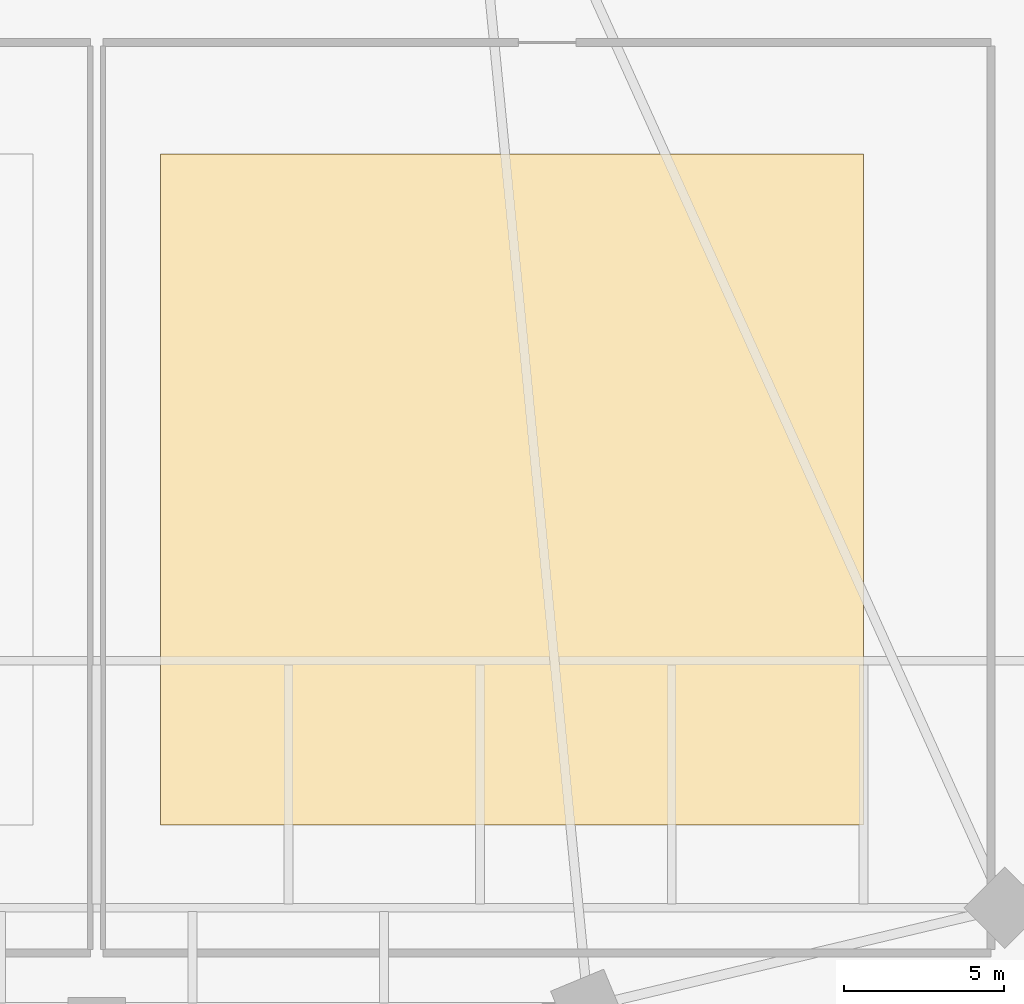
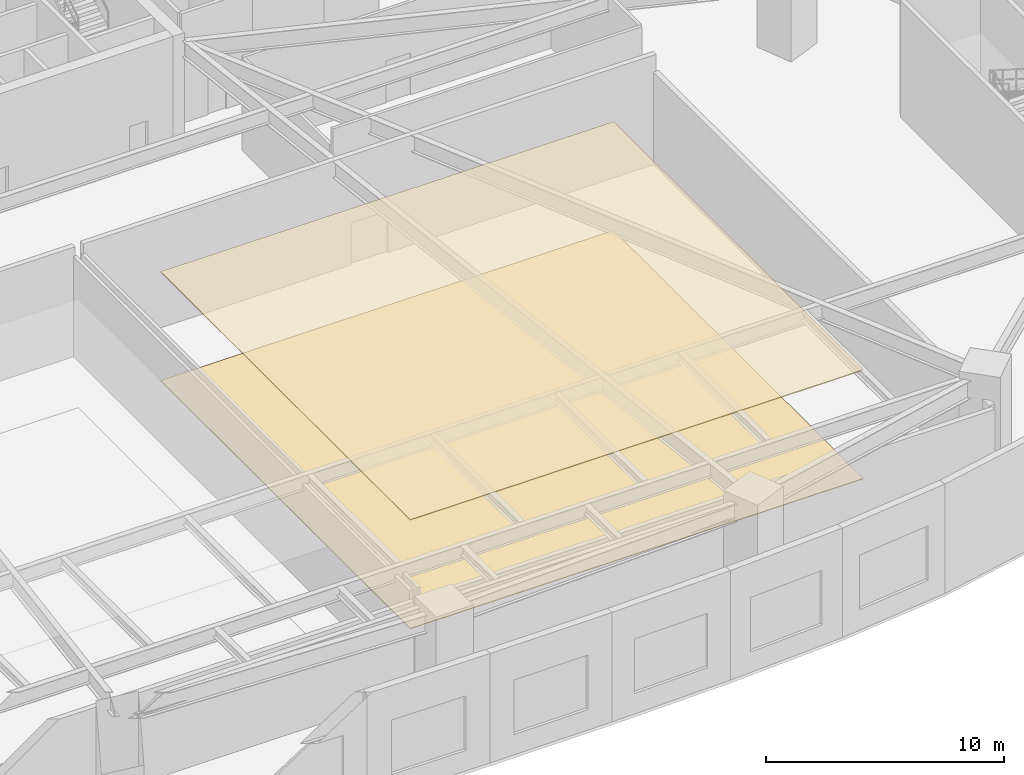
# One storey, part 8 of 10: 2 coverings.
"""IFC4 building model written with IfcOpenShell, lengths in metres."""

from ifc_helpers import new_model, si_unit, direction, frame, origin, place, context, subcontext, project, spatial, polyline, outline, extrude, material, layer, layer_set, type_object, element, save


model = new_model("IFC4")

# Units and contexts
model_context = context("Model", 3, precision=1e-05, world=origin(), true_north=direction((0.0, 1.0)))
body_context = subcontext(model_context, "Body", "Model", "MODEL_VIEW")
ifc_project = project(units=[si_unit("LENGTHUNIT", "METRE"), si_unit("AREAUNIT", "SQUARE_METRE"), si_unit("VOLUMEUNIT", "CUBIC_METRE"), si_unit("PLANEANGLEUNIT", "RADIAN"), si_unit("MASSUNIT", "GRAM", prefix="KILO")], contexts=[model_context])

# Site, building, storey
site_placement = place(None, origin())
site = spatial("IfcSite", under=ifc_project, at=site_placement, CompositionType="ELEMENT")
building_placement = place(site_placement, origin())
building = spatial("IfcBuilding", under=site, at=building_placement, Name="Breltana Convention Tower", CompositionType="ELEMENT")
storey_placement = place(building_placement, frame((0.0, 0.0, 18.0)))
storey = spatial("IfcBuildingStorey", under=building, at=storey_placement, Name="L03", CompositionType="ELEMENT", Elevation=18.0)

# Coverings
ifc_material_1 = material(Name="Gypsum Micro-Perforated Acoustic Ceiling")
ifc_layer_1 = layer(ifc_material_1, 0.044921875, Name="Gypsum Micro-Perforated Acoustic Ceiling")
ifc_layer_set_1 = layer_set([ifc_layer_1], Name="Gypsum Micro-Perforated Acoustic Ceiling")
covering_type_1 = type_object("IfcCoveringType", Name="COV-CEIL-ACOUSTIC-45", PredefinedType="CEILING", material=ifc_layer_set_1)
covering_1_placement = place(storey_placement, frame((0.0, 0.0, 5.574951171875)))
element("IfcCovering", 1, at=covering_1_placement, inside=storey, type_object=covering_type_1, Name="L03 hall acoustic ceiling 7", PredefinedType="CEILING", context=body_context, shape_type="SweptSolid", body=[
    extrude(outline(polyline([(50.0, 25.0), (72.0, 25.0), (72.0, 46.0), (50.0, 46.0), (50.0, 25.0)])), origin(), (0.0, 0.0, 1.0), 0.045166015625),
])
ifc_material_2 = material(Name="Warm Buff Limestone Terrazzo Flooring", Category="masonry")
ifc_layer_2 = layer(ifc_material_2, 0.034912109375, Name="Warm Buff Limestone Terrazzo Flooring")
ifc_layer_set_2 = layer_set([ifc_layer_2], Name="Warm Buff Limestone Terrazzo Flooring")
covering_type_2 = type_object("IfcCoveringType", Name="COV-FLOOR-TERRAZZO-35", PredefinedType="FLOORING", material=ifc_layer_set_2)
covering_2_placement = place(storey_placement, origin())
element("IfcCovering", 2, at=covering_2_placement, inside=storey, type_object=covering_type_2, Name="L03 hall limestone terrazzo flooring 7", PredefinedType="FLOORING", context=body_context, shape_type="SweptSolid", body=[
    extrude(outline(polyline([(50.0, 25.0), (72.0, 25.0), (72.0, 46.0), (50.0, 46.0), (50.0, 25.0)])), origin(), (0.0, 0.0, 1.0), 0.034912109375),
])

save(model, "model.ifc")
